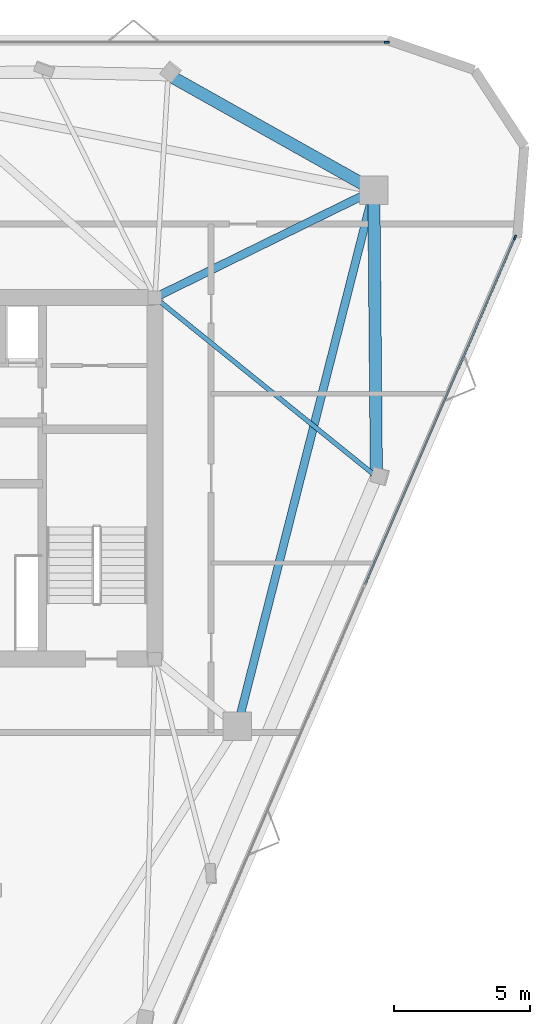
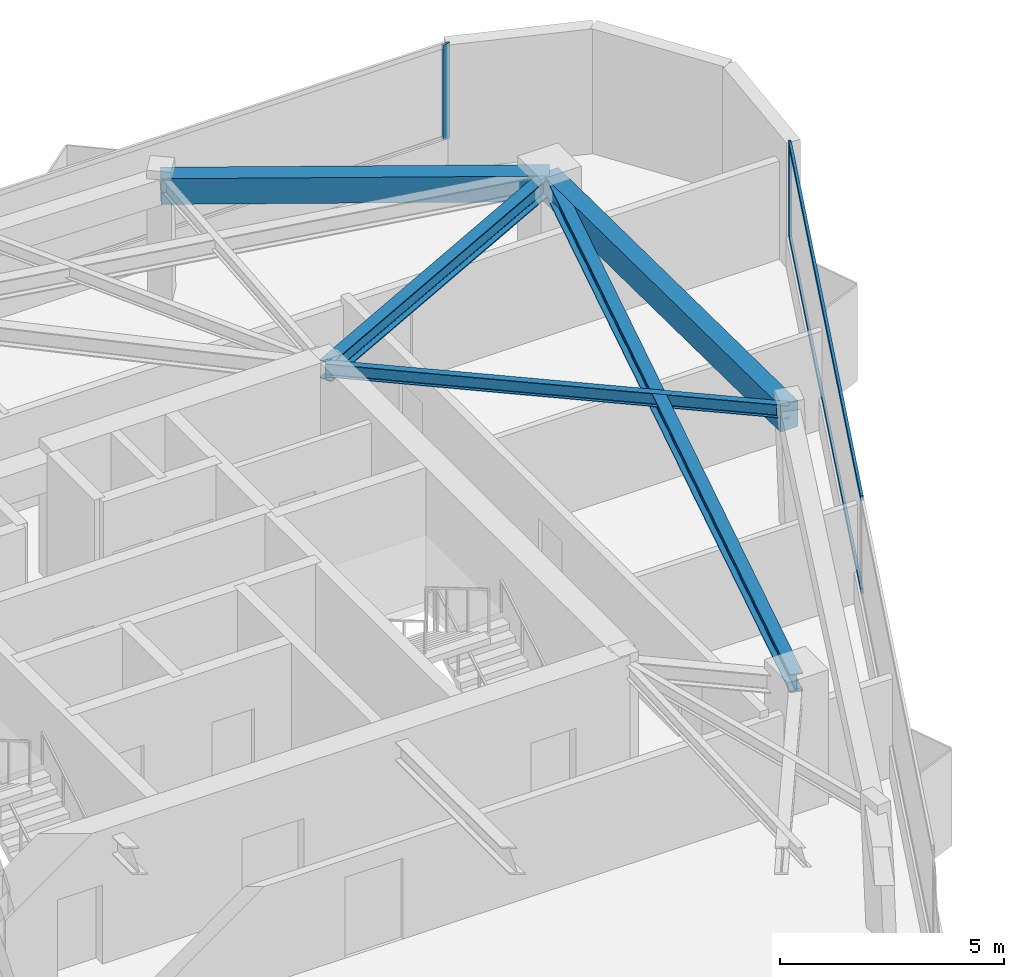
# One storey, part 7 of 11: 5 beams, 4 members, 2 elements without a shape of their own.
"""IFC4 building model written with IfcOpenShell, lengths in metres."""

from ifc_helpers import new_model, si_unit, direction, frame, origin, origin_2d, place, context, subcontext, project, spatial, rectangle, i_section, extrude, material, layer, layer_set, material_profile, profile_set, type_object, element, aggregate, save


model = new_model("IFC4")

# Units and contexts
model_context = context("Model", 3, precision=1e-05, world=origin(), true_north=direction((0.0, 1.0)))
body_context = subcontext(model_context, "Body", "Model", "MODEL_VIEW")
ifc_project = project(units=[si_unit("LENGTHUNIT", "METRE"), si_unit("AREAUNIT", "SQUARE_METRE"), si_unit("VOLUMEUNIT", "CUBIC_METRE"), si_unit("PLANEANGLEUNIT", "RADIAN"), si_unit("MASSUNIT", "GRAM", prefix="KILO")], contexts=[model_context])

# Site, building, storey
site_placement = place(None, origin())
site = spatial("IfcSite", under=ifc_project, at=site_placement, CompositionType="ELEMENT")
building_placement = place(site_placement, origin())
building = spatial("IfcBuilding", under=site, at=building_placement, Name="Talyreon Biosciences Tower", CompositionType="ELEMENT")
storey_placement = place(building_placement, frame((0.0, 0.0, 283.800048828125)))
storey = spatial("IfcBuildingStorey", under=building, at=storey_placement, Name="L75", CompositionType="ELEMENT", Elevation=283.800048828125)

# Curtain wall, member
ifc_material_1 = material(Name="Thermally broken aluminium and low-E glazing", Category="aluminium")
ifc_layer = layer(ifc_material_1, 0.175048828125)
ifc_layer_set = layer_set([ifc_layer], Name="Thermally broken aluminium and low-E glazing")
curtain_wall_type = type_object("IfcCurtainWallType", Name="CurtainWall_Zone5CompLab", PredefinedType="NOTDEFINED", material=ifc_layer_set)
curtain_wall_1_placement = place(storey_placement, origin())
curtain_wall_1 = element("IfcCurtainWall", 1, at=curtain_wall_1_placement, inside=storey, type_object=curtain_wall_type, Name="L75 Unitised Curtain Wall FCW-L75-04", PredefinedType="NOTDEFINED")
ifc_material_2 = material(Name="Anodised thermally broken aluminium", Category="aluminium")
ifc_material_profile_1 = material_profile(ifc_material_2, rectangle(XDim=0.06494140625, YDim=0.179931640625, at=origin_2d()), Name="ALUM MULLION 65x180")
ifc_profile_set_1 = profile_set([ifc_material_profile_1], Name="Anodised thermally broken aluminium")
member_type_1 = type_object("IfcMemberType", Name="CWMullion_65x180", PredefinedType="MULLION", material=ifc_profile_set_1)
member_1_placement = place(storey_placement, frame((82.5751953125, 84.037109375, 0.81005859375), z_axis=(0.0, 0.0, 1.0), x_axis=(0.0, 1.0, 0.0)))
member_1 = element("IfcMember", 2, at=member_1_placement, type_object=member_type_1, Name="CW6 mullion 3", PredefinedType="MULLION", context=body_context, shape_type="SweptSolid", body=[
    extrude(rectangle(XDim=0.06494140625, YDim=0.179931640625, at=origin_2d()), origin(), (0.0, 0.0, 1.0), 2.58984375),
])
aggregate(curtain_wall_1, [member_1])

# Curtain wall, members
curtain_wall_2_placement = place(storey_placement, origin())
curtain_wall_2 = element("IfcCurtainWall", 3, at=curtain_wall_2_placement, inside=storey, type_object=curtain_wall_type, Name="L75 Unitised Curtain Wall FCW-L75-08", PredefinedType="NOTDEFINED")
member_2_placement = place(storey_placement, frame((87.295166015625, 76.857177734375, 0.81005859375), z_axis=(0.0, 0.0, 1.0), x_axis=(0.918022435016, -0.396528446404, 0.0)))
member_2 = element("IfcMember", 4, at=member_2_placement, type_object=member_type_1, Name="CW6 mullion 1", PredefinedType="MULLION", context=body_context, shape_type="SweptSolid", body=[
    extrude(rectangle(XDim=0.06494140625, YDim=0.179931640625, at=origin_2d()), origin(), (0.0, 0.0, 1.0), 2.58984375),
])
ifc_material_profile_2 = material_profile(ifc_material_2, rectangle(XDim=0.06494140625, YDim=0.139892578125, at=origin_2d()), Name="ALUM TRANSOM 65x140")
ifc_profile_set_2 = profile_set([ifc_material_profile_2], Name="Anodised thermally broken aluminium")
member_type_2 = type_object("IfcMemberType", Name="CWTransom_65x140", PredefinedType="USERDEFINED", material=ifc_profile_set_2)
member_3_placement = place(storey_placement, frame((87.2822265625, 76.827392578125, 0.842529296875), z_axis=(-0.396529792405, -0.918021853626, 0.0), x_axis=(0.918021853626, -0.396529792405, 0.0)))
member_3 = element("IfcMember", 5, at=member_3_placement, type_object=member_type_2, Name="CW6 transom 1.1", ObjectType="TRANSOM", PredefinedType="USERDEFINED", context=body_context, shape_type="SweptSolid", body=[
    extrude(rectangle(XDim=0.06494140625, YDim=0.139892578125, at=origin_2d()), origin(), (0.0, 0.0, 1.0), 13.863525390625),
])
member_4_placement = place(storey_placement, frame((87.2822265625, 76.827392578125, 3.367431640625), z_axis=(-0.396529792405, -0.918021853626, 0.0), x_axis=(0.918021853626, -0.396529792405, 0.0)))
member_4 = element("IfcMember", 6, at=member_4_placement, type_object=member_type_2, Name="CW6 transom 1.2", ObjectType="TRANSOM", PredefinedType="USERDEFINED", context=body_context, shape_type="SweptSolid", body=[
    extrude(rectangle(XDim=0.06494140625, YDim=0.139892578125, at=origin_2d()), origin(), (0.0, 0.0, 1.0), 13.863525390625),
])
aggregate(curtain_wall_2, [member_2, member_3, member_4])

# Beams
ifc_material_3 = material(Name="Precast concrete C45/55", Category="concrete")
ifc_material_profile_3 = material_profile(ifc_material_3, rectangle(XDim=0.449951171875, YDim=0.699951171875, at=origin_2d()), Name="RCB 450x700")
ifc_profile_set_3 = profile_set([ifc_material_profile_3], Name="Precast concrete C45/55")
beam_type_1 = type_object("IfcBeamType", Name="ExpressedSpandrel_450x700", PredefinedType="SPANDREL", material=ifc_profile_set_3)
beam_1_placement = place(storey_placement, frame((82.197021484375, 68.06298828125, 3.050048828125), z_axis=(-0.008990691898, 0.999959582913, 0.0), x_axis=(-0.999959582913, -0.008990691898, 0.0)))
element("IfcBeam", 7, at=beam_1_placement, inside=storey, type_object=beam_type_1, Name="L75 Expressed Horizontal Concrete Spandrel 04", PredefinedType="SPANDREL", context=body_context, shape_type="SweptSolid", body=[
    extrude(rectangle(XDim=0.449951171875, YDim=0.699951171875, at=origin_2d()), origin(), (0.0, 0.0, 1.0), 10.5361328125),
])
beam_2_placement = place(storey_placement, frame((82.102294921875, 78.5986328125, 3.050048828125), z_axis=(-0.871995377464, 0.489514107744, 0.0), x_axis=(-0.489514107744, -0.871995377464, 0.0)))
element("IfcBeam", 8, at=beam_2_placement, inside=storey, type_object=beam_type_1, Name="L75 Expressed Horizontal Concrete Spandrel 05", PredefinedType="SPANDREL", context=body_context, shape_type="SweptSolid", body=[
    extrude(rectangle(XDim=0.449951171875, YDim=0.699951171875, at=origin_2d()), origin(), (0.0, 0.0, 1.0), 8.674560546875),
])
ifc_material_4 = material(Name="Steel SM355", Category="steel")
ifc_material_profile_4 = material_profile(ifc_material_4, i_section(OverallWidth=0.300048828125, OverallDepth=0.5, WebThickness=0.014404296875, FlangeThickness=0.028076171875, FilletRadius=0.027099609375, at=origin_2d()), Name="HE500B")
ifc_profile_set_4 = profile_set([ifc_material_profile_4], Name="Steel SM355")
beam_type_2 = type_object("IfcBeamType", Name="SteelBeam_HE500B", PredefinedType="BEAM", material=ifc_profile_set_4)
beam_3_placement = place(storey_placement, frame((77.086181640625, 58.88037109375, 3.14990234375), z_axis=(0.246537082299, 0.969133358755, 0.0), x_axis=(-0.969133358755, 0.246537082299, 0.0)))
element("IfcBeam", 9, at=beam_3_placement, inside=storey, type_object=beam_type_2, Name="L75 Mega-Ring Girder 2", PredefinedType="BEAM", context=body_context, shape_type="SweptSolid", body=[
    extrude(i_section(OverallWidth=0.300048828125, OverallDepth=0.5, WebThickness=0.014404296875, FlangeThickness=0.028076171875, FilletRadius=0.027099609375, at=origin_2d()), origin(), (0.0, 0.0, 1.0), 20.34619140625),
])
beam_4_placement = place(storey_placement, frame((74.050048828125, 74.64990234375, 3.14990234375), z_axis=(0.897852360314, 0.440296648952, 0.0), x_axis=(-0.440296648952, 0.897852360314, 0.0)))
element("IfcBeam", 10, at=beam_4_placement, inside=storey, type_object=beam_type_2, Name="L75 Radial Primary Girder 3", PredefinedType="BEAM", context=body_context, shape_type="SweptSolid", body=[
    extrude(i_section(OverallWidth=0.300048828125, OverallDepth=0.5, WebThickness=0.014404296875, FlangeThickness=0.028076171875, FilletRadius=0.027099609375, at=origin_2d()), origin(), (0.0, 0.0, 1.0), 8.96826171875),
])
ifc_material_profile_5 = material_profile(ifc_material_4, i_section(OverallWidth=0.169921875, OverallDepth=0.360107421875, WebThickness=0.008056640625, FlangeThickness=0.0126953125, FilletRadius=0.01806640625, at=origin_2d()), Name="IPE360")
ifc_profile_set_5 = profile_set([ifc_material_profile_5], Name="Steel SM355")
beam_type_3 = type_object("IfcBeamType", Name="SteelJoist_IPE360", PredefinedType="JOIST", material=ifc_profile_set_5)
beam_5_placement = place(storey_placement, frame((74.050048828125, 74.64990234375, 3.219970703125), z_axis=(0.777630026941, -0.628722149442, 0.0), x_axis=(0.628722149442, 0.777630026941, 0.0)))
element("IfcBeam", 11, at=beam_5_placement, inside=storey, type_object=beam_type_3, Name="L75 Radial Composite Floor Joist PC-SE2", PredefinedType="JOIST", context=body_context, shape_type="SweptSolid", body=[
    extrude(i_section(OverallWidth=0.169921875, OverallDepth=0.360107421875, WebThickness=0.008056640625, FlangeThickness=0.0126953125, FilletRadius=0.01806640625, at=origin_2d()), origin(), (0.0, 0.0, 1.0), 10.4765625),
])

save(model, "model.ifc")
